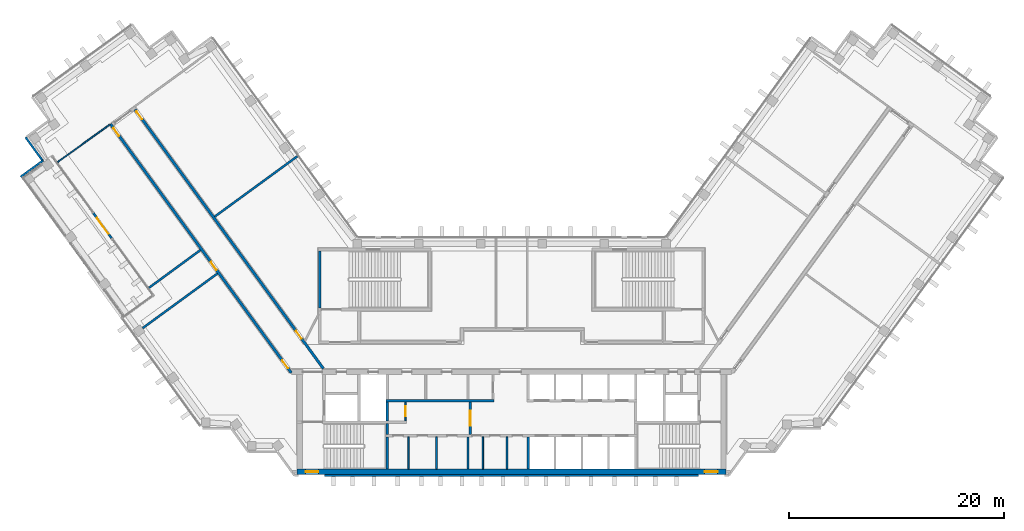
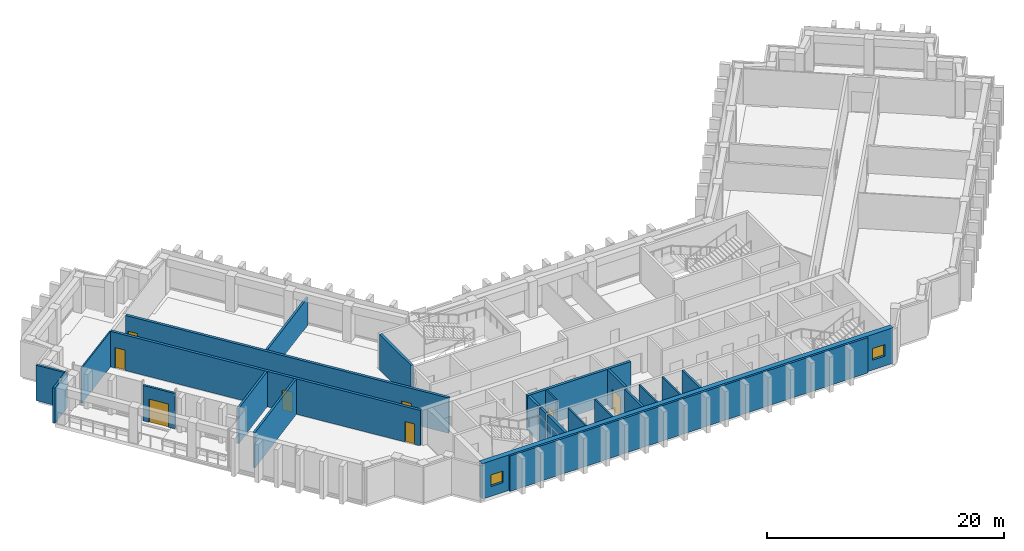
# One storey, part 6 of 12: 24 walls, 8 doors, 2 windows, 10 openings.
"""IFC4 building model written with IfcOpenShell, lengths in metres."""

from ifc_helpers import new_model, si_unit, direction, frame, frame_2d, origin, place, context, subcontext, project, spatial, rectangle, extrude, material, layer, layer_set, type_object, element, fill, save


model = new_model("IFC4")

# Units and contexts
model_context = context("Model", 3, precision=1e-05, world=origin(), true_north=direction((0.0, 1.0)))
body_context = subcontext(model_context, "Body", "Model", "MODEL_VIEW")
ifc_project = project(units=[si_unit("LENGTHUNIT", "METRE"), si_unit("AREAUNIT", "SQUARE_METRE"), si_unit("VOLUMEUNIT", "CUBIC_METRE"), si_unit("PLANEANGLEUNIT", "RADIAN"), si_unit("MASSUNIT", "GRAM", prefix="KILO")], contexts=[model_context])

# Site, building, storey
site_placement = place(None, origin())
site = spatial("IfcSite", under=ifc_project, at=site_placement, CompositionType="ELEMENT")
building_placement = place(site_placement, origin())
building = spatial("IfcBuilding", under=site, at=building_placement, Name="Quipu Civic Tower", CompositionType="ELEMENT")
storey_placement = place(building_placement, frame((0.0, 0.0, 152.0)))
storey = spatial("IfcBuildingStorey", under=building, at=storey_placement, Name="L35", CompositionType="ELEMENT", Elevation=152.0)

# Walls
ifc_material_1 = material(Name="Fired clay blockwork", Category="masonry")
ifc_layer_1 = layer(ifc_material_1, 0.199951171875)
ifc_layer_set_1 = layer_set([ifc_layer_1], Name="Fired clay blockwork")
wall_type_1 = type_object("IfcWallType", Name="Blockwork wall 200", PredefinedType="SOLIDWALL", material=ifc_layer_set_1)
wall_1_placement = place(storey_placement, frame((-27.676025390625, 13.031982421875, 0.0), z_axis=(0.0, 0.0, 1.0), x_axis=(0.807606997933, 0.589721067023, 0.0)))
element("IfcWall", 1, at=wall_1_placement, inside=storey, type_object=wall_type_1, Name="Partition P08", PredefinedType="SOLIDWALL", context=body_context, shape_type="SweptSolid", body=[
    extrude(rectangle(XDim=9.550048828125, YDim=0.199951171875, at=frame_2d((4.77490234375, 0.0))), origin(), (0.0, 0.0, 1.0), 2.85009765625),
])
wall_2_placement = place(storey_placement, frame((-33.799072265625, 6.403076171875, 0.0), z_axis=(0.0, 0.0, 1.0), x_axis=(0.806598014579, 0.591100366163, 0.0)))
element("IfcWall", 2, at=wall_2_placement, inside=storey, type_object=wall_type_1, Name="Partition P09", PredefinedType="SOLIDWALL", context=body_context, shape_type="SweptSolid", body=[
    extrude(rectangle(XDim=5.949951171875, YDim=0.199951171875, at=frame_2d((2.97509765625, 0.0))), origin(), (0.0, 0.0, 1.0), 3.64990234375),
])
wall_3_placement = place(storey_placement, frame((-34.39453125, 2.637939453125, 0.0), z_axis=(0.0, 0.0, 1.0), x_axis=(0.807657534767, 0.589651851973, 0.0)))
element("IfcWall", 3, at=wall_3_placement, inside=storey, type_object=wall_type_1, Name="Partition P12", PredefinedType="SOLIDWALL", context=body_context, shape_type="SweptSolid", body=[
    extrude(rectangle(XDim=8.644287109375, YDim=0.199951171875, at=frame_2d((4.322265625, 0.0))), origin(), (0.0, 0.0, 1.0), 3.64990234375),
])
ifc_material_2 = material(Name="Concrete C70/85", Category="concrete")
ifc_layer_2 = layer(ifc_material_2, 0.25)
ifc_layer_set_2 = layer_set([ifc_layer_2], Name="Concrete C70/85")
wall_type_2 = type_object("IfcWallType", Name="Core wall 250", PredefinedType="SHEAR", material=ifc_layer_set_2)
wall_4_placement = place(storey_placement, frame((-11.574951171875, -10.5, 0.0), z_axis=(0.0, 0.0, 1.0), x_axis=(0.0, 1.0, 0.0)))
element("IfcWall", 4, at=wall_4_placement, inside=storey, type_object=wall_type_2, Name="Core wall", PredefinedType="SHEAR", context=body_context, shape_type="SweptSolid", body=[
    extrude(rectangle(XDim=3.0, YDim=0.25, at=frame_2d((1.5, 0.0))), origin(), (0.0, 0.0, 1.0), 3.64990234375),
])
wall_5_placement = place(storey_placement, frame((-11.574951171875, -7.25, 0.0), z_axis=(0.0, 0.0, 1.0), x_axis=(0.0, 1.0, 0.0)))
element("IfcWall", 5, at=wall_5_placement, inside=storey, type_object=wall_type_2, Name="Core wall", PredefinedType="SHEAR", context=body_context, shape_type="SweptSolid", body=[
    extrude(rectangle(XDim=1.0, YDim=0.25, at=frame_2d((0.5, 0.0))), origin(), (0.0, 0.0, 1.0), 3.64990234375),
])
wall_6_placement = place(storey_placement, frame((-11.574951171875, -6.0, 0.0), z_axis=(0.0, 0.0, 1.0), x_axis=(0.0, 1.0, 0.0)))
element("IfcWall", 6, at=wall_6_placement, inside=storey, type_object=wall_type_2, Name="Core wall", PredefinedType="SHEAR", context=body_context, shape_type="SweptSolid", body=[
    extrude(rectangle(XDim=1.75, YDim=0.25, at=frame_2d((0.875, 0.0))), origin(), (0.0, 0.0, 1.0), 3.64990234375),
])
wall_7_placement = place(storey_placement, frame((-11.699951171875, -4.125, 0.0), z_axis=(0.0, 0.0, 1.0), x_axis=(1.0, 0.0, 0.0)))
element("IfcWall", 7, at=wall_7_placement, inside=storey, type_object=wall_type_2, Name="Core wall", PredefinedType="SHEAR", context=body_context, shape_type="SweptSolid", body=[
    extrude(rectangle(XDim=10.050048828125, YDim=0.25, at=frame_2d((5.02490234375, 0.0))), origin(), (0.0, 0.0, 1.0), 3.64990234375),
])
wall_8_placement = place(storey_placement, frame((-17.875, 4.5, 0.0), z_axis=(0.0, 0.0, 1.0), x_axis=(0.0, 1.0, 0.0)))
element("IfcWall", 8, at=wall_8_placement, inside=storey, type_object=wall_type_2, Name="Core wall", PredefinedType="SHEAR", context=body_context, shape_type="SweptSolid", body=[
    extrude(rectangle(XDim=5.35009765625, YDim=0.25, at=frame_2d((2.675048828125, 0.0))), origin(), (0.0, 0.0, 1.0), 3.64990234375),
])

# Wall, openings, windows
ifc_material_3 = material(Name="Concrete C70/85", Category="concrete")
ifc_layer_3 = layer(ifc_material_3, 0.5)
ifc_layer_set_3 = layer_set([ifc_layer_3], Name="Concrete C70/85")
wall_type_3 = type_object("IfcWallType", Name="Core wall 500", PredefinedType="SHEAR", material=ifc_layer_set_3)
wall_9_placement = place(storey_placement, frame((-20.0, -10.75, 0.0), z_axis=(0.0, 0.0, 1.0), x_axis=(1.0, 0.0, 0.0)))
wall_9 = element("IfcWall", 9, at=wall_9_placement, inside=storey, type_object=wall_type_3, Name="Core wall", PredefinedType="SHEAR", context=body_context, shape_type="SweptSolid", body=[
    extrude(rectangle(XDim=40.0, YDim=0.5, at=frame_2d((20.0, 0.0))), origin(), (0.0, 0.0, 1.0), 3.64990234375),
])
opening_1_placement = place(wall_9_placement, frame((0.800048828125, 0.0, 1.0)))
opening_1 = element("IfcOpeningElement", 10, at=opening_1_placement, cuts=wall_9, Name="Opening SV-1", PredefinedType="OPENING", context=body_context, shape_type="SweptSolid", body=[
    extrude(rectangle(XDim=1.199951171875, YDim=1.199951171875, at=frame_2d((0.60009765625, 0.60009765625))), frame((0.0, 0.260009765625, 0.0), z_axis=(0.0, -1.0, 0.0), x_axis=(1.0, 0.0, 0.0)), (0.0, 0.0, 1.0), 0.52001953125),
])
opening_2_placement = place(wall_9_placement, frame((38.0, 0.0, 1.0)))
opening_2 = element("IfcOpeningElement", 11, at=opening_2_placement, cuts=wall_9, Name="Opening SV-2", PredefinedType="OPENING", context=body_context, shape_type="SweptSolid", body=[
    extrude(rectangle(XDim=1.199951171875, YDim=1.199951171875, at=frame_2d((0.60009765625, 0.60009765625))), frame((0.0, 0.260009765625, 0.0), z_axis=(0.0, -1.0, 0.0), x_axis=(1.0, 0.0, 0.0)), (0.0, 0.0, 1.0), 0.52001953125),
])
ifc_material_4 = material(Name="Aluminium louvre", Category="aluminium")
window_type = type_object("IfcWindowType", Name="Stair ventilation louvre 1200 x 1200", PartitioningType="SINGLE_PANEL", PredefinedType="WINDOW", material=ifc_material_4)
window_1_placement = place(opening_1_placement, origin())
window_1 = element("IfcWindow", 12, at=window_1_placement, inside=storey, type_object=window_type, Name="Stair ventilation opening", OverallHeight=1.199951171875, OverallWidth=1.199951171875, PartitioningType="SINGLE_PANEL", PredefinedType="WINDOW", context=body_context, shape_type="SweptSolid", body=[
    extrude(rectangle(XDim=1.199951171875, YDim=1.199951171875, at=frame_2d((0.60009765625, 0.60009765625))), frame((0.0, 0.030029296875, 0.0), z_axis=(0.0, -1.0, 0.0), x_axis=(1.0, 0.0, 0.0)), (0.0, 0.0, 1.0), 0.06005859375),
])
fill(opening_1, window_1)
window_2_placement = place(opening_2_placement, origin())
window_2 = element("IfcWindow", 13, at=window_2_placement, inside=storey, type_object=window_type, Name="Stair ventilation opening", OverallHeight=1.199951171875, OverallWidth=1.199951171875, PartitioningType="SINGLE_PANEL", PredefinedType="WINDOW", context=body_context, shape_type="SweptSolid", body=[
    extrude(rectangle(XDim=1.199951171875, YDim=1.199951171875, at=frame_2d((0.60009765625, 0.60009765625))), frame((0.0, 0.030029296875, 0.0), z_axis=(0.0, -1.0, 0.0), x_axis=(1.0, 0.0, 0.0)), (0.0, 0.0, 1.0), 0.06005859375),
])
fill(opening_2, window_2)

# Wall, openings, doors
ifc_material_5 = material(Name="Concrete C50/60", Category="concrete")
ifc_layer_4 = layer(ifc_material_5, 0.25)
ifc_layer_set_4 = layer_set([ifc_layer_4], Name="Concrete C50/60")
wall_type_4 = type_object("IfcWallType", Name="Corridor wall 250 concrete", PredefinedType="SOLIDWALL", material=ifc_layer_set_4)
wall_10_placement = place(storey_placement, frame((-20.531005859375, -1.5234375, 0.0), z_axis=(0.0, 0.0, 1.0), x_axis=(-0.587785812891, 0.809016587076, 0.0)))
wall_10 = element("IfcWall", 14, at=wall_10_placement, inside=storey, type_object=wall_type_4, Name="Corridor wall C04", PredefinedType="SOLIDWALL", context=body_context, shape_type="SweptSolid", body=[
    extrude(rectangle(XDim=28.67041015625, YDim=0.25, at=frame_2d((14.335205078125, 0.0))), origin(), (0.0, 0.0, 1.0), 3.64990234375),
])
opening_3_placement = place(wall_10_placement, frame((27.296142578125, 0.0, 0.0)))
opening_3 = element("IfcOpeningElement", 15, at=opening_3_placement, cuts=wall_10, Name="Opening D013", PredefinedType="OPENING", context=body_context, shape_type="SweptSolid", body=[
    extrude(rectangle(XDim=0.89990234375, YDim=2.10009765625, at=frame_2d((0.449951171875, 1.050048828125))), frame((0.0, 0.135009765625, 0.0), z_axis=(0.0, -1.0, 0.0), x_axis=(1.0, 0.0, 0.0)), (0.0, 0.0, 1.0), 0.27001953125),
])
opening_4_placement = place(wall_10_placement, frame((11.865966796875, 0.0, 0.0)))
opening_4 = element("IfcOpeningElement", 16, at=opening_4_placement, cuts=wall_10, Name="Opening D014", PredefinedType="OPENING", context=body_context, shape_type="SweptSolid", body=[
    extrude(rectangle(XDim=0.89990234375, YDim=2.10009765625, at=frame_2d((0.449951171875, 1.050048828125))), frame((0.0, 0.135009765625, 0.0), z_axis=(0.0, -1.0, 0.0), x_axis=(1.0, 0.0, 0.0)), (0.0, 0.0, 1.0), 0.27001953125),
])
opening_5_placement = place(wall_10_placement, frame((0.53271484375, 0.0, 0.0)))
opening_5 = element("IfcOpeningElement", 17, at=opening_5_placement, cuts=wall_10, Name="Opening D015", PredefinedType="OPENING", context=body_context, shape_type="SweptSolid", body=[
    extrude(rectangle(XDim=0.89990234375, YDim=2.10009765625, at=frame_2d((0.449951171875, 1.050048828125))), frame((0.0, 0.135009765625, 0.0), z_axis=(0.0, -1.0, 0.0), x_axis=(1.0, 0.0, 0.0)), (0.0, 0.0, 1.0), 0.27001953125),
])
ifc_material_6 = material(Name="Fire rated timber door set with metal frame", Category="wood")
door_type_1 = type_object("IfcDoorType", Name="Single door 900 x 2100 FD60", OperationType="NOTDEFINED", PredefinedType="DOOR", material=ifc_material_6)
door_1_placement = place(opening_3_placement, origin())
door_1 = element("IfcDoor", 18, at=door_1_placement, inside=storey, type_object=door_type_1, Name="Door D013", OperationType="SINGLE_SWING_RIGHT", OverallHeight=2.10009765625, OverallWidth=0.89990234375, PredefinedType="DOOR", context=body_context, shape_type="SweptSolid", body=[
    extrude(rectangle(XDim=0.89990234375, YDim=2.10009765625, at=frame_2d((0.449951171875, 1.050048828125))), frame((0.0, 0.02490234375, 0.0), z_axis=(0.0, -1.0, 0.0), x_axis=(1.0, 0.0, 0.0)), (0.0, 0.0, 1.0), 0.050048828125),
])
fill(opening_3, door_1)
door_2_placement = place(opening_4_placement, origin())
door_2 = element("IfcDoor", 19, at=door_2_placement, inside=storey, type_object=door_type_1, Name="Door D014", OperationType="SINGLE_SWING_LEFT", OverallHeight=2.10009765625, OverallWidth=0.89990234375, PredefinedType="DOOR", context=body_context, shape_type="SweptSolid", body=[
    extrude(rectangle(XDim=0.89990234375, YDim=2.10009765625, at=frame_2d((0.449951171875, 1.050048828125))), frame((0.0, 0.02490234375, 0.0), z_axis=(0.0, -1.0, 0.0), x_axis=(1.0, 0.0, 0.0)), (0.0, 0.0, 1.0), 0.050048828125),
])
fill(opening_4, door_2)
door_3_placement = place(opening_5_placement, origin())
door_3 = element("IfcDoor", 20, at=door_3_placement, inside=storey, type_object=door_type_1, Name="Door D015", OperationType="SINGLE_SWING_LEFT", OverallHeight=2.10009765625, OverallWidth=0.89990234375, PredefinedType="DOOR", context=body_context, shape_type="SweptSolid", body=[
    extrude(rectangle(XDim=0.89990234375, YDim=2.10009765625, at=frame_2d((0.449951171875, 1.050048828125))), frame((0.0, 0.02490234375, 0.0), z_axis=(0.0, -1.0, 0.0), x_axis=(1.0, 0.0, 0.0)), (0.0, 0.0, 1.0), 0.050048828125),
])
fill(opening_5, door_3)

wall_11_placement = place(storey_placement, frame((-35.092041015625, 23.02685546875, 0.0), z_axis=(0.0, 0.0, 1.0), x_axis=(0.587784076945, -0.809017848313, 0.0)))
wall_11 = element("IfcWall", 21, at=wall_11_placement, inside=storey, type_object=wall_type_4, Name="Corridor wall C06", PredefinedType="SOLIDWALL", context=body_context, shape_type="SweptSolid", body=[
    extrude(rectangle(XDim=29.85302734375, YDim=0.25, at=frame_2d((14.926513671875, 0.0))), origin(), (0.0, 0.0, 1.0), 3.64990234375),
])
opening_6_placement = place(wall_11_placement, frame((0.223876953125, 0.0, 0.0)))
opening_6 = element("IfcOpeningElement", 22, at=opening_6_placement, cuts=wall_11, Name="Opening D011", PredefinedType="OPENING", context=body_context, shape_type="SweptSolid", body=[
    extrude(rectangle(XDim=0.89990234375, YDim=2.10009765625, at=frame_2d((0.449951171875, 1.050048828125))), frame((0.0, 0.135009765625, 0.0), z_axis=(0.0, -1.0, 0.0), x_axis=(1.0, 0.0, 0.0)), (0.0, 0.0, 1.0), 0.27001953125),
])
opening_7_placement = place(wall_11_placement, frame((25.51171875, 0.0, 0.0)))
opening_7 = element("IfcOpeningElement", 23, at=opening_7_placement, cuts=wall_11, Name="Opening D012", PredefinedType="OPENING", context=body_context, shape_type="SweptSolid", body=[
    extrude(rectangle(XDim=0.89990234375, YDim=2.10009765625, at=frame_2d((0.449951171875, 1.050048828125))), frame((0.0, 0.135009765625, 0.0), z_axis=(0.0, -1.0, 0.0), x_axis=(1.0, 0.0, 0.0)), (0.0, 0.0, 1.0), 0.27001953125),
])
door_4_placement = place(opening_6_placement, origin())
door_4 = element("IfcDoor", 24, at=door_4_placement, inside=storey, type_object=door_type_1, Name="Door D011", OperationType="SINGLE_SWING_LEFT", OverallHeight=2.10009765625, OverallWidth=0.89990234375, PredefinedType="DOOR", context=body_context, shape_type="SweptSolid", body=[
    extrude(rectangle(XDim=0.89990234375, YDim=2.10009765625, at=frame_2d((0.449951171875, 1.050048828125))), frame((0.0, 0.02490234375, 0.0), z_axis=(0.0, -1.0, 0.0), x_axis=(1.0, 0.0, 0.0)), (0.0, 0.0, 1.0), 0.050048828125),
])
fill(opening_6, door_4)
door_5_placement = place(opening_7_placement, origin())
door_5 = element("IfcDoor", 25, at=door_5_placement, inside=storey, type_object=door_type_1, Name="Door D012", OperationType="SINGLE_SWING_RIGHT", OverallHeight=2.10009765625, OverallWidth=0.89990234375, PredefinedType="DOOR", context=body_context, shape_type="SweptSolid", body=[
    extrude(rectangle(XDim=0.89990234375, YDim=2.10009765625, at=frame_2d((0.449951171875, 1.050048828125))), frame((0.0, 0.02490234375, 0.0), z_axis=(0.0, -1.0, 0.0), x_axis=(1.0, 0.0, 0.0)), (0.0, 0.0, 1.0), 0.050048828125),
])
fill(opening_7, door_5)

# Walls
ifc_material_7 = material(Name="Gypsum plasterboard on light gauge framing")
ifc_layer_5 = layer(ifc_material_7, 0.1201171875)
ifc_layer_set_5 = layer_set([ifc_layer_5], Name="Gypsum plasterboard on light gauge framing")
wall_type_5 = type_object("IfcWallType", Name="Partition 120 plasterboard", PredefinedType="PARTITIONING", material=ifc_layer_set_5)
wall_12_placement = place(storey_placement, frame((-42.31201171875, 18.120361328125, 0.0), z_axis=(0.0, 0.0, 1.0), x_axis=(0.811422632467, 0.584459845944, 0.0)))
element("IfcWall", 26, at=wall_12_placement, inside=storey, type_object=wall_type_5, Name="Partition P02", PredefinedType="PARTITIONING", context=body_context, shape_type="SweptSolid", body=[
    extrude(rectangle(XDim=5.969970703125, YDim=0.1201171875, at=frame_2d((2.98486328125, 0.0))), origin(), (0.0, 0.0, 1.0), 3.64990234375),
])
ifc_material_8 = material(Name="Gypsum board partition")
ifc_layer_6 = layer(ifc_material_8, 0.14990234375)
ifc_layer_set_6 = layer_set([ifc_layer_6], Name="Gypsum board partition")
wall_type_6 = type_object("IfcWallType", Name="Partition 150", PredefinedType="PARTITIONING", material=ifc_layer_set_6)
for number, where, z_axis, x_axis, name in (
    (27, (-9.60009765625, -10.5, 0.0), (0.0, 0.0, 1.0), (0.0, 1.0, 0.0), "Partition"),
    (28, (-7.0, -10.5, 0.0), (0.0, 0.0, 1.0), (0.0, 1.0, 0.0), "Partition"),
    (29, (-2.675048828125, -10.5, 0.0), (0.0, 0.0, 1.0), (0.0, 1.0, 0.0), "Partition"),
    (30, (-0.425048828125, -10.5, 0.0), (0.0, 0.0, 1.0), (0.0, 1.0, 0.0), "Partition"),
):
    element("IfcWall", number, at=place(storey_placement, frame(where, z_axis=z_axis, x_axis=x_axis)), inside=storey, type_object=wall_type_6, Name=name, PredefinedType="PARTITIONING", context=body_context, shape_type="SweptSolid", body=[
        extrude(rectangle(XDim=3.0, YDim=0.14990234375, at=frame_2d((1.5, 0.0))), origin(), (0.0, 0.0, 1.0), 3.64990234375),
    ])

# Wall, opening, door
wall_13_placement = place(storey_placement, frame((-9.875, -4.25, 0.0), z_axis=(0.0, 0.0, 1.0), x_axis=(0.0, -1.0, 0.0)))
wall_13 = element("IfcWall", 31, at=wall_13_placement, inside=storey, type_object=wall_type_6, Name="Partition", PredefinedType="PARTITIONING", context=body_context, shape_type="SweptSolid", body=[
    extrude(rectangle(XDim=1.75, YDim=0.14990234375, at=frame_2d((0.875, 0.0))), origin(), (0.0, 0.0, 1.0), 3.64990234375),
])
opening_8_placement = place(wall_13_placement, frame((0.39990234375, 0.0, 0.0)))
opening_8 = element("IfcOpeningElement", 32, at=opening_8_placement, cuts=wall_13, Name="Opening CD-10", PredefinedType="OPENING", context=body_context, shape_type="SweptSolid", body=[
    extrude(rectangle(XDim=0.89990234375, YDim=2.10009765625, at=frame_2d((0.449951171875, 1.050048828125))), frame((0.0, 0.0849609375, 0.0), z_axis=(0.0, -1.0, 0.0), x_axis=(1.0, 0.0, 0.0)), (0.0, 0.0, 1.0), 0.169921875),
])
ifc_material_9 = material(Name="Fire rated steel door", Category="steel")
door_type_2 = type_object("IfcDoorType", Name="Fire door FD60 900 x 2100", OperationType="NOTDEFINED", PredefinedType="DOOR", material=ifc_material_9)
door_6_placement = place(opening_8_placement, origin())
door_6 = element("IfcDoor", 33, at=door_6_placement, inside=storey, type_object=door_type_2, Name="Door", OperationType="SINGLE_SWING_LEFT", OverallHeight=2.10009765625, OverallWidth=0.89990234375, PredefinedType="DOOR", context=body_context, shape_type="SweptSolid", body=[
    extrude(rectangle(XDim=0.89990234375, YDim=2.10009765625, at=frame_2d((0.449951171875, 1.050048828125))), frame((0.0, 0.02490234375, 0.0), z_axis=(0.0, -1.0, 0.0), x_axis=(1.0, 0.0, 0.0)), (0.0, 0.0, 1.0), 0.050048828125),
])
fill(opening_8, door_6)

# Walls
ifc_material_10 = material(Name="Precast concrete C40/50", Category="concrete")
wall_type_7 = type_object("IfcWallType", Name="Precast cladding wall", PredefinedType="SOLIDWALL", material=ifc_material_10)
wall_14_placement = place(storey_placement, frame((-17.44384765625, -11.087890625, 0.0), z_axis=(0.0, 0.0, 1.0), x_axis=(1.0, 0.0, 0.0)))
element("IfcWall", 34, at=wall_14_placement, inside=storey, type_object=wall_type_7, Name="Precast cladding wall L35 P06", PredefinedType="SOLIDWALL", context=body_context, shape_type="SweptSolid", body=[
    extrude(rectangle(XDim=34.8876953125, YDim=0.199951171875, at=frame_2d((17.44384765625, 0.0))), origin(), (0.0, 0.0, 1.0), 3.64990234375),
])
wall_15_placement = place(storey_placement, frame((-45.29638671875, 20.43359375, 0.0), z_axis=(0.0, 0.0, 1.0), x_axis=(0.587762999008, -0.809033161865, 0.0)))
element("IfcWall", 35, at=wall_15_placement, inside=storey, type_object=wall_type_7, Name="Precast cladding wall L35 9", PredefinedType="SOLIDWALL", context=body_context, shape_type="SweptSolid", body=[
    extrude(rectangle(XDim=2.699951171875, YDim=0.199951171875, at=frame_2d((1.35009765625, 0.0))), origin(), (0.0, 0.0, 1.0), 3.64990234375),
])
wall_16_placement = place(storey_placement, frame((-43.658203125, 18.271728515625, 0.0), z_axis=(0.0, 0.0, 1.0), x_axis=(-0.808979656733, -0.587836639716, 0.0)))
element("IfcWall", 36, at=wall_16_placement, inside=storey, type_object=wall_type_7, Name="Precast cladding wall L35 10", PredefinedType="SOLIDWALL", context=body_context, shape_type="SweptSolid", body=[
    extrude(rectangle(XDim=2.599853515625, YDim=0.199951171875, at=frame_2d((1.2998046875, 0.0))), origin(), (0.0, 0.0, 1.0), 3.64990234375),
])

# Wall, opening, door
ifc_material_11 = material(Name="Precast concrete C40/50", Category="concrete")
wall_type_8 = type_object("IfcWallType", Name="Precast door surround", PredefinedType="SOLIDWALL", material=ifc_material_11)
wall_17_placement = place(storey_placement, frame((-37.246337890625, 10.9775390625, 0.0), z_axis=(0.0, 0.0, 1.0), x_axis=(-0.587735577821, 0.809053082661, 0.0)))
wall_17 = element("IfcWall", 37, at=wall_17_placement, inside=storey, type_object=wall_type_8, Name="Door surround ED-L35-1", PredefinedType="SOLIDWALL", context=body_context, shape_type="SweptSolid", body=[
    extrude(rectangle(XDim=2.962890625, YDim=0.199951171875, at=frame_2d((1.4814453125, 0.0))), origin(), (0.0, 0.0, 1.0), 3.64990234375),
])
opening_9_placement = place(wall_17_placement, frame((0.58154296875, 0.0, 0.0)))
opening_9 = element("IfcOpeningElement", 38, at=opening_9_placement, cuts=wall_17, Name="Opening ED-L35-1", PredefinedType="OPENING", context=body_context, shape_type="SweptSolid", body=[
    extrude(rectangle(XDim=1.800048828125, YDim=2.39990234375, at=frame_2d((0.89990234375, 1.199951171875))), frame((0.0, 0.10986328125, 0.0), z_axis=(0.0, -1.0, 0.0), x_axis=(1.0, 0.0, 0.0)), (0.0, 0.0, 1.0), 0.219970703125),
])
ifc_material_12 = material(Name="Aluminium framed glazed door", Category="aluminium")
door_type_3 = type_object("IfcDoorType", Name="Terrace door E3", OperationType="DOUBLE_DOOR_SINGLE_SWING", PredefinedType="DOOR", material=ifc_material_12)
door_7_placement = place(opening_9_placement, origin())
door_7 = element("IfcDoor", 39, at=door_7_placement, inside=storey, type_object=door_type_3, Name="E3 door ED-L35-1", OperationType="DOUBLE_DOOR_SINGLE_SWING", OverallHeight=2.39990234375, OverallWidth=1.800048828125, PredefinedType="DOOR", context=body_context, shape_type="SweptSolid", body=[
    extrude(rectangle(XDim=1.800048828125, YDim=2.39990234375, at=frame_2d((0.89990234375, 1.199951171875))), frame((0.0, 0.02490234375, 0.0), z_axis=(0.0, -1.0, 0.0), x_axis=(1.0, 0.0, 0.0)), (0.0, 0.0, 1.0), 0.050048828125),
])
fill(opening_9, door_7)

# Walls
ifc_material_13 = material(Name="Concrete C40/50", Category="concrete")
ifc_layer_7 = layer(ifc_material_13, 0.199951171875)
ifc_layer_set_7 = layer_set([ifc_layer_7], Name="Concrete C40/50")
wall_type_9 = type_object("IfcWallType", Name="Shaft wall 200", PredefinedType="SOLIDWALL", material=ifc_layer_set_7)
for number, where, z_axis, x_axis, name in (
    (40, (-4.050048828125, -10.5, 0.0), (0.0, 0.0, 1.0), (0.0, 1.0, 0.0), "Shaft wall"),
    (41, (1.550048828125, -10.5, 0.0), (0.0, 0.0, 1.0), (0.0, 1.0, 0.0), "Shaft wall"),
):
    element("IfcWall", number, at=place(storey_placement, frame(where, z_axis=z_axis, x_axis=x_axis)), inside=storey, type_object=wall_type_9, Name=name, PredefinedType="SOLIDWALL", context=body_context, shape_type="SweptSolid", body=[
        extrude(rectangle(XDim=3.0, YDim=0.199951171875, at=frame_2d((1.5, 0.0))), origin(), (0.0, 0.0, 1.0), 3.64990234375),
    ])

# Wall, opening, door
wall_18_placement = place(storey_placement, frame((-3.85009765625, -4.25, 0.0), z_axis=(0.0, 0.0, 1.0), x_axis=(0.0, -1.0, 0.0)))
wall_18 = element("IfcWall", 42, at=wall_18_placement, inside=storey, type_object=wall_type_9, Name="Shaft wall", PredefinedType="SOLIDWALL", context=body_context, shape_type="SweptSolid", body=[
    extrude(rectangle(XDim=3.0, YDim=0.199951171875, at=frame_2d((1.5, 0.0))), origin(), (0.0, 0.0, 1.0), 3.64990234375),
])
opening_10_placement = place(wall_18_placement, frame((0.800048828125, 0.0, 0.0)))
opening_10 = element("IfcOpeningElement", 43, at=opening_10_placement, cuts=wall_18, Name="Opening CD-09", PredefinedType="OPENING", context=body_context, shape_type="SweptSolid", body=[
    extrude(rectangle(XDim=1.39990234375, YDim=2.10009765625, at=frame_2d((0.699951171875, 1.050048828125))), frame((0.0, 0.10986328125, 0.0), z_axis=(0.0, -1.0, 0.0), x_axis=(1.0, 0.0, 0.0)), (0.0, 0.0, 1.0), 0.219970703125),
])
ifc_material_14 = material(Name="Fire rated steel door", Category="steel")
door_type_4 = type_object("IfcDoorType", Name="Fire door FD60 double 1400 x 2100", OperationType="NOTDEFINED", PredefinedType="DOOR", material=ifc_material_14)
door_8_placement = place(opening_10_placement, origin())
door_8 = element("IfcDoor", 44, at=door_8_placement, inside=storey, type_object=door_type_4, Name="Hall door", OperationType="DOUBLE_DOOR_SINGLE_SWING", OverallHeight=2.10009765625, OverallWidth=1.39990234375, PredefinedType="DOOR", context=body_context, shape_type="SweptSolid", body=[
    extrude(rectangle(XDim=1.39990234375, YDim=2.10009765625, at=frame_2d((0.699951171875, 1.050048828125))), frame((0.0, 0.02490234375, 0.0), z_axis=(0.0, -1.0, 0.0), x_axis=(1.0, 0.0, 0.0)), (0.0, 0.0, 1.0), 0.050048828125),
])
fill(opening_10, door_8)

save(model, "model.ifc")
